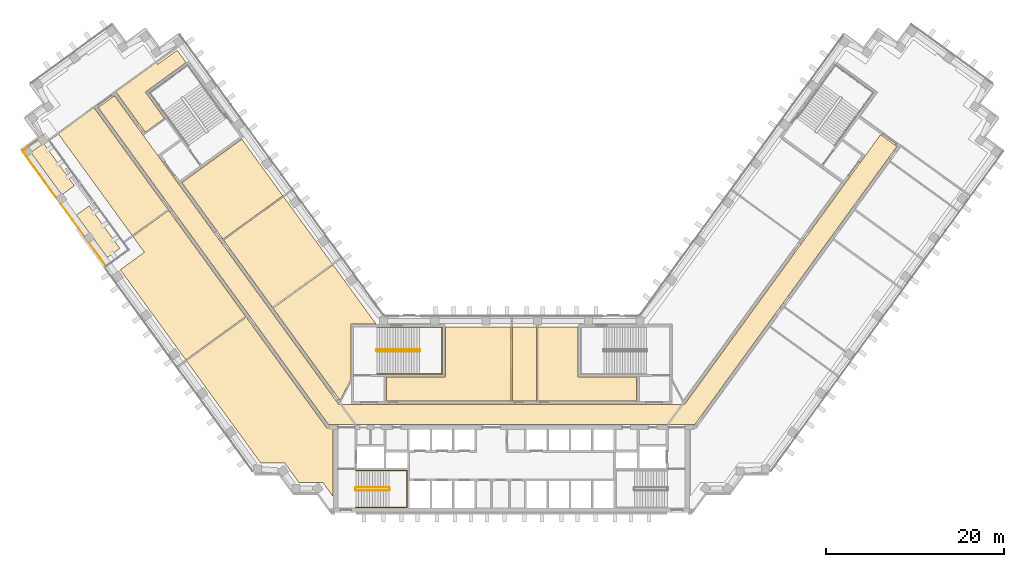
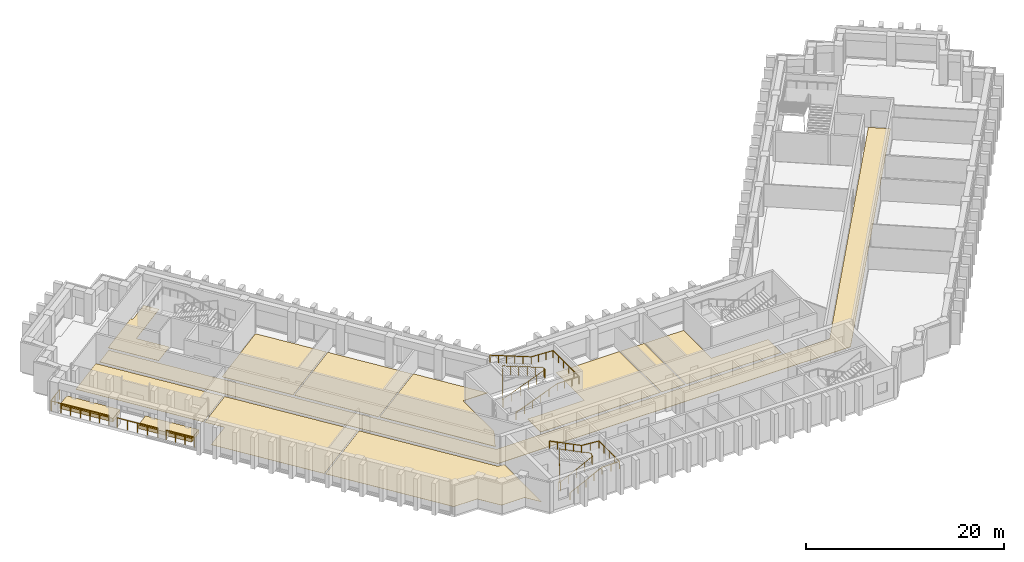
# One storey, part 15 of 17: 13 coverings, 8 railings.
"""IFC4 building model written with IfcOpenShell, lengths in metres."""

from ifc_helpers import new_model, si_unit, direction, frame, origin, origin_2d, place, context, subcontext, project, spatial, polyline, circle, outline, extrude, material, layer, layer_set, type_object, element, save


model = new_model("IFC4")

# Units and contexts
model_context = context("Model", 3, precision=1e-05, world=origin(), true_north=direction((0.0, 1.0)))
body_context = subcontext(model_context, "Body", "Model", "MODEL_VIEW")
ifc_project = project(units=[si_unit("LENGTHUNIT", "METRE"), si_unit("AREAUNIT", "SQUARE_METRE"), si_unit("VOLUMEUNIT", "CUBIC_METRE"), si_unit("PLANEANGLEUNIT", "RADIAN"), si_unit("MASSUNIT", "GRAM", prefix="KILO")], contexts=[model_context])

# Site, building, storey
site_placement = place(None, origin())
site = spatial("IfcSite", under=ifc_project, at=site_placement, CompositionType="ELEMENT")
building_placement = place(site_placement, origin())
building = spatial("IfcBuilding", under=site, at=building_placement, Name="Quipu Civic Tower", CompositionType="ELEMENT")
storey_placement = place(building_placement, frame((0.0, 0.0, 39.0)))
storey = spatial("IfcBuildingStorey", under=building, at=storey_placement, Name="L08", CompositionType="ELEMENT", Elevation=39.0)

# Coverings
ifc_material_1 = material(Name="Carpet tile on raised access floor")
ifc_layer_1 = layer(ifc_material_1, 0.02001953125)
ifc_layer_set_1 = layer_set([ifc_layer_1], Name="Carpet tile on raised access floor")
covering_type_1 = type_object("IfcCoveringType", Name="Carpet tile floor finish 20", PredefinedType="FLOORING", material=ifc_layer_set_1)
covering_1_placement = place(storey_placement, origin())
element("IfcCovering", 1, at=covering_1_placement, inside=storey, type_object=covering_type_1, Name="Carpet tile floor finish 20", PredefinedType="FLOORING", context=body_context, shape_type="SweptSolid", body=[
    extrude(outline(polyline([(-44.445068359375, 36.23193359375), (-39.906005859375, 39.530029296875), (-39.757080078125, 39.327880859375), (-37.573974609375, 40.9130859375), (-36.570068359375, 39.530029296875), (-41.139892578125, 36.208984375), (-38.998046875, 33.260009765625), (-41.15087890625, 31.697021484375), (-44.445068359375, 36.23193359375)])), origin(), (0.0, 0.0, 1.0), 0.02001953125),
])
covering_2_placement = place(storey_placement, origin())
element("IfcCovering", 2, at=covering_2_placement, inside=storey, type_object=covering_type_1, Name="Carpet tile floor finish 20", PredefinedType="FLOORING", context=body_context, shape_type="SweptSolid", body=[
    extrude(outline(polyline([(-32.339111328125, 19.570068359375), (-25.615966796875, 24.4541015625), (-20.14404296875, 16.9208984375), (-26.866943359375, 12.0380859375), (-32.339111328125, 19.570068359375)])), origin(), (0.0, 0.0, 1.0), 0.02001953125),
])
covering_3_placement = place(storey_placement, origin())
element("IfcCovering", 3, at=covering_3_placement, inside=storey, type_object=covering_type_1, Name="Carpet tile floor finish 20", PredefinedType="FLOORING", context=body_context, shape_type="SweptSolid", body=[
    extrude(outline(polyline([(-50.922119140625, 31.52490234375), (-46.904052734375, 34.444091796875), (-38.60791015625, 23.02490234375), (-42.626953125, 20.10595703125), (-50.922119140625, 31.52490234375)])), origin(), (0.0, 0.0, 1.0), 0.02001953125),
])
covering_4_placement = place(storey_placement, origin())
element("IfcCovering", 4, at=covering_4_placement, inside=storey, type_object=covering_type_1, Name="Carpet tile floor finish 20", PredefinedType="FLOORING", context=body_context, shape_type="SweptSolid", body=[
    extrude(outline(polyline([(-36.52001953125, 6.013916015625), (-29.7958984375, 10.89794921875), (-20.77490234375, -1.51904296875), (-20.070068359375, -1.52001953125), (-20.070068359375, -9.195068359375), (-21.196044921875, -7.64599609375), (-21.6630859375, -7.64599609375), (-21.666015625, -7.64404296875), (-21.669921875, -7.64111328125), (-21.675048828125, -7.639892578125), (-21.679931640625, -7.637939453125), (-21.68408203125, -7.636962890625), (-21.68896484375, -7.636962890625), (-21.694091796875, -7.635986328125), (-21.698974609375, -7.636962890625), (-21.7041015625, -7.637939453125), (-21.708984375, -7.638916015625), (-21.712890625, -7.64111328125), (-21.718017578125, -7.64306640625), (-21.721923828125, -7.64599609375), (-21.721923828125, -7.64599609375), (-23.89501953125, -7.64599609375), (-25.48193359375, -5.4619140625), (-28.181884765625, -5.4609375), (-36.52001953125, 6.013916015625)])), origin(), (0.0, 0.0, 1.0), 0.02001953125),
])
covering_5_placement = place(storey_placement, origin())
element("IfcCovering", 5, at=covering_5_placement, inside=storey, type_object=covering_type_1, Name="Carpet tile floor finish 20", PredefinedType="FLOORING", context=body_context, shape_type="SweptSolid", body=[
    extrude(outline(polyline([(2.948974609375, 1.52001953125), (2.948974609375, 9.830078125), (7.429931640625, 9.830078125), (7.430908203125, 4.179931640625), (14.030029296875, 4.179931640625), (14.030029296875, 1.52001953125), (2.948974609375, 1.52001953125)])), origin(), (0.0, 0.0, 1.0), 0.02001953125),
])
covering_6_placement = place(storey_placement, origin())
element("IfcCovering", 6, at=covering_6_placement, inside=storey, type_object=covering_type_1, Name="Carpet tile floor finish 20", PredefinedType="FLOORING", context=body_context, shape_type="SweptSolid", body=[
    extrude(outline(polyline([(-43.9580078125, 16.251953125), (-41.25390625, 18.217041015625), (-42.5439453125, 19.992919921875), (-38.52490234375, 22.912109375), (-29.87890625, 11.010986328125), (-36.60302734375, 6.126953125), (-43.9580078125, 16.251953125)])), origin(), (0.0, 0.0, 1.0), 0.02001953125),
])
ifc_material_2 = material(Name="Ceramic floor tile")
ifc_layer_2 = layer(ifc_material_2, 0.030029296875)
ifc_layer_set_2 = layer_set([ifc_layer_2], Name="Ceramic floor tile")
covering_type_2 = type_object("IfcCoveringType", Name="Ceramic tile floor finish 30", PredefinedType="FLOORING", material=ifc_layer_set_2)
covering_7_placement = place(storey_placement, origin())
element("IfcCovering", 7, at=covering_7_placement, inside=storey, type_object=covering_type_2, Name="Ceramic tile floor finish 30", PredefinedType="FLOORING", context=body_context, shape_type="SweptSolid", body=[
    extrude(outline(polyline([(0.070068359375, 9.830078125), (2.80908203125, 9.830078125), (2.80908203125, 1.52001953125), (0.070068359375, 1.52001953125), (0.070068359375, 9.830078125)])), origin(), (0.0, 0.0, 1.0), 0.030029296875),
])
covering_8_placement = place(storey_placement, origin())
element("IfcCovering", 8, at=covering_8_placement, inside=storey, type_object=covering_type_2, Name="Ceramic tile floor finish 30", PredefinedType="FLOORING", context=body_context, shape_type="SweptSolid", body=[
    extrude(outline(polyline([(-14.030029296875, 4.179931640625), (-7.430908203125, 4.179931640625), (-7.429931640625, 9.830078125), (-0.070068359375, 9.830078125), (-0.070068359375, 1.52001953125), (-14.030029296875, 1.52001953125), (-14.030029296875, 4.179931640625)])), origin(), (0.0, 0.0, 1.0), 0.030029296875),
])
covering_9_placement = place(storey_placement, origin())
element("IfcCovering", 9, at=covering_9_placement, inside=storey, type_object=covering_type_2, Name="Ceramic tile floor finish 30", PredefinedType="FLOORING", context=body_context, shape_type="SweptSolid", body=[
    extrude(outline(polyline([(-37.0380859375, 26.0380859375), (-30.31494140625, 30.922119140625), (-25.698974609375, 24.56689453125), (-32.422119140625, 19.68310546875), (-37.0380859375, 26.0380859375)])), origin(), (0.0, 0.0, 1.0), 0.030029296875),
])
ifc_material_3 = material(Name="Planting soil on drainage board")
ifc_layer_3 = layer(ifc_material_3, 0.449951171875)
ifc_layer_set_3 = layer_set([ifc_layer_3], Name="Planting soil on drainage board")
covering_type_3 = type_object("IfcCoveringType", Name="Planted terrace build-up", PredefinedType="FLOORING", material=ifc_layer_set_3)
covering_10_placement = place(storey_placement, origin())
element("IfcCovering", 10, at=covering_10_placement, inside=storey, type_object=covering_type_3, Name="Planted terrace L08 bed 1", PredefinedType="FLOORING", context=body_context, shape_type="SweptSolid", body=[
    extrude(outline(polyline([(-53.9970703125, 29.439453125), (-52.5869140625, 30.464111328125), (-49.118896484375, 25.6904296875), (-50.52880859375, 24.666015625), (-53.9970703125, 29.439453125)])), origin(), (0.0, 0.0, 1.0), 0.449951171875),
])
covering_11_placement = place(storey_placement, origin())
element("IfcCovering", 11, at=covering_11_placement, inside=storey, type_object=covering_type_3, Name="Planted terrace L08 bed 2", PredefinedType="FLOORING", context=body_context, shape_type="SweptSolid", body=[
    extrude(outline(polyline([(-48.883056640625, 22.40087890625), (-47.47314453125, 23.42529296875), (-44.00537109375, 18.65234375), (-45.415283203125, 17.6279296875), (-48.883056640625, 22.40087890625)])), origin(), (0.0, 0.0, 1.0), 0.449951171875),
])
ifc_material_4 = material(Name="Sealed cement screed")
ifc_layer_4 = layer(ifc_material_4, 0.050048828125)
ifc_layer_set_4 = layer_set([ifc_layer_4], Name="Sealed cement screed")
covering_type_4 = type_object("IfcCoveringType", Name="Sealed screed floor finish 50", PredefinedType="FLOORING", material=ifc_layer_set_4)
covering_12_placement = place(storey_placement, origin())
element("IfcCovering", 12, at=covering_12_placement, inside=storey, type_object=covering_type_4, Name="Sealed screed floor finish 50", PredefinedType="FLOORING", context=body_context, shape_type="SweptSolid", body=[
    extrude(outline(polyline([(-26.783935546875, 11.925048828125), (-20.06103515625, 16.80810546875), (-15.238037109375, 10.169921875), (-18.070068359375, 10.1689453125), (-18.070068359375, 3.94189453125), (-19.27197265625, 1.583984375), (-26.783935546875, 11.925048828125)])), origin(), (0.0, 0.0, 1.0), 0.050048828125),
])

# Railings
ifc_material_5 = material(Name="Stainless steel", Category="steel")
railing_type_1 = type_object("IfcRailingType", Name="Stair guard 1100", PredefinedType="GUARDRAIL", material=ifc_material_5)
railing_1_placement = place(storey_placement, frame((-17.5, -8.550048828125, 0.15380859375)))
element("IfcRailing", 13, at=railing_1_placement, inside=storey, type_object=railing_type_1, Name="Stair 1 guard", PredefinedType="GUARDRAIL", context=body_context, shape_type="SweptSolid", body=[
    extrude(circle(Radius=0.02392578125, at=origin_2d()), frame((0.0, 0.0, 1.076171875), z_axis=(0.895751851347, 0.0, 0.444554407028), x_axis=(0.0, 1.0, 0.0)), (0.0, 0.0, 1.0), 4.15283203125),
    extrude(circle(Radius=0.02392578125, at=origin_2d()), frame((3.719970703125, 0.0, 2.92236328125), z_axis=(0.707106781187, 0.707106781187, 0.0), x_axis=(-0.707106781187, 0.707106781187, 0.0)), (0.0, 0.0, 1.0), 0.07080078125),
    extrude(circle(Radius=0.02392578125, at=origin_2d()), frame((3.77001953125, 0.050048828125, 2.92236328125), z_axis=(0.0, 1.0, 0.0), x_axis=(-1.0, 0.0, 0.0)), (0.0, 0.0, 1.0), 0.25),
    extrude(circle(Radius=0.02392578125, at=origin_2d()), frame((3.77001953125, 0.300048828125, 2.92236328125), z_axis=(-0.295599637079, 0.295599637079, 0.908428152975), x_axis=(-0.707106781187, -0.707106781187, 0.0)), (0.0, 0.0, 1.0), 0.16943359375),
    extrude(circle(Radius=0.02392578125, at=origin_2d()), frame((3.719970703125, 0.35009765625, 3.076171875), z_axis=(-0.895751851347, 0.0, 0.444554407028), x_axis=(0.0, -1.0, 0.0)), (0.0, 0.0, 1.0), 4.15283203125),
    extrude(circle(Radius=0.02392578125, at=origin_2d()), frame((0.0, 0.35009765625, 4.92236328125), z_axis=(-0.012476181752, -0.074796231092, -0.997120789425), x_axis=(0.986372223864, -0.164529134168, 0.0)), (0.0, 0.0, 1.0), 4.011474609375),
    extrude(circle(Radius=0.02392578125, at=origin_2d()), frame((-0.050048828125, 0.050048828125, 0.92236328125), z_axis=(0.0, 1.0, 0.0), x_axis=(-1.0, 0.0, 0.0)), (0.0, 0.0, 1.0), 0.25),
    extrude(circle(Radius=0.02099609375, at=origin_2d()), origin(), (0.0, 0.0, 1.0), 1.052001953125),
    extrude(circle(Radius=0.02099609375, at=origin_2d()), frame((0.929931640625, 0.0, 0.46142578125)), (0.0, 0.0, 1.0), 1.052001953125),
    extrude(circle(Radius=0.02099609375, at=origin_2d()), frame((1.85986328125, 0.0, 0.923095703125)), (0.0, 0.0, 1.0), 1.052001953125),
    extrude(circle(Radius=0.02099609375, at=origin_2d()), frame((2.7900390625, 0.0, 1.384765625)), (0.0, 0.0, 1.0), 1.052001953125),
    extrude(circle(Radius=0.02099609375, at=origin_2d()), frame((3.719970703125, 0.0, 1.84619140625)), (0.0, 0.0, 1.0), 1.052001953125),
    extrude(circle(Radius=0.02099609375, at=origin_2d()), frame((3.77001953125, 0.050048828125, 1.84619140625)), (0.0, 0.0, 1.0), 1.052001953125),
    extrude(circle(Radius=0.02099609375, at=origin_2d()), frame((3.77001953125, 0.300048828125, 1.84619140625)), (0.0, 0.0, 1.0), 1.052001953125),
    extrude(circle(Radius=0.02099609375, at=origin_2d()), frame((3.719970703125, 0.35009765625, 2.0)), (0.0, 0.0, 1.0), 1.052001953125),
    extrude(circle(Radius=0.02099609375, at=origin_2d()), frame((2.7900390625, 0.35009765625, 2.46142578125)), (0.0, 0.0, 1.0), 1.052001953125),
    extrude(circle(Radius=0.02099609375, at=origin_2d()), frame((1.85986328125, 0.35009765625, 2.923095703125)), (0.0, 0.0, 1.0), 1.052001953125),
    extrude(circle(Radius=0.02099609375, at=origin_2d()), frame((0.929931640625, 0.35009765625, 3.384765625)), (0.0, 0.0, 1.0), 1.052001953125),
    extrude(circle(Radius=0.02099609375, at=origin_2d()), frame((0.0, 0.35009765625, 3.84619140625)), (0.0, 0.0, 1.0), 1.052001953125),
    extrude(circle(Radius=0.02099609375, at=origin_2d()), frame((-0.012451171875, 0.275146484375, 2.84619140625)), (0.0, 0.0, 1.0), 1.052001953125),
    extrude(circle(Radius=0.02099609375, at=origin_2d()), frame((-0.02490234375, 0.2001953125, 1.84619140625)), (0.0, 0.0, 1.0), 1.052001953125),
    extrude(circle(Radius=0.02099609375, at=origin_2d()), frame((-0.03759765625, 0.125, 0.84619140625)), (0.0, 0.0, 1.0), 1.052001953125),
    extrude(circle(Radius=0.02099609375, at=origin_2d()), frame((-0.050048828125, 0.050048828125, -0.15380859375)), (0.0, 0.0, 1.0), 1.052001953125),
    extrude(circle(Radius=0.02099609375, at=origin_2d()), frame((-0.050048828125, 0.300048828125, -0.15380859375)), (0.0, 0.0, 1.0), 1.052001953125),
])
railing_2_placement = place(storey_placement, frame((-15.14990234375, 7.050048828125, 0.11767578125)))
element("IfcRailing", 14, at=railing_2_placement, inside=storey, type_object=railing_type_1, Name="Stair 3 guard", PredefinedType="GUARDRAIL", context=body_context, shape_type="SweptSolid", body=[
    extrude(circle(Radius=0.02392578125, at=origin_2d()), frame((0.0, 0.0, 1.076171875), z_axis=(0.930970042603, 0.0, 0.365095576219), x_axis=(0.0, 1.0, 0.0)), (0.0, 0.0, 1.0), 5.15576171875),
    extrude(circle(Radius=0.02392578125, at=origin_2d()), frame((4.7998046875, 0.0, 2.95849609375), z_axis=(0.707106781187, 0.707106781187, 0.0), x_axis=(-0.707106781187, 0.707106781187, 0.0)), (0.0, 0.0, 1.0), 0.07080078125),
    extrude(circle(Radius=0.02392578125, at=origin_2d()), frame((4.849853515625, 0.050048828125, 2.95849609375), z_axis=(0.0, 1.0, 0.0), x_axis=(-1.0, 0.0, 0.0)), (0.0, 0.0, 1.0), 0.14990234375),
    extrude(circle(Radius=0.02392578125, at=origin_2d()), frame((4.849853515625, 0.199951171875, 2.95849609375), z_axis=(-0.364463019033, 0.364463019033, 0.856932561824), x_axis=(-0.707106781187, -0.707106781187, 0.0)), (0.0, 0.0, 1.0), 0.13720703125),
    extrude(circle(Radius=0.02392578125, at=origin_2d()), frame((4.7998046875, 0.25, 3.076171875), z_axis=(-0.930970042603, 0.0, 0.365095576219), x_axis=(0.0, -1.0, 0.0)), (0.0, 0.0, 1.0), 5.15576171875),
    extrude(circle(Radius=0.02392578125, at=origin_2d()), frame((0.0, 0.25, 4.95849609375), z_axis=(-0.012495627992, -0.049921557685, -0.998674970829), x_axis=(0.970072785993, -0.242814311512, 0.0)), (0.0, 0.0, 1.0), 4.00537109375),
    extrude(circle(Radius=0.02392578125, at=origin_2d()), frame((-0.050048828125, 0.050048828125, 0.95849609375), z_axis=(0.0, 1.0, 0.0), x_axis=(-1.0, 0.0, 0.0)), (0.0, 0.0, 1.0), 0.14990234375),
    extrude(circle(Radius=0.02099609375, at=origin_2d()), origin(), (0.0, 0.0, 1.0), 1.052001953125),
    extrude(circle(Radius=0.02099609375, at=origin_2d()), frame((0.9599609375, 0.0, 0.37646484375)), (0.0, 0.0, 1.0), 1.052001953125),
    extrude(circle(Radius=0.02099609375, at=origin_2d()), frame((1.919921875, 0.0, 0.7529296875)), (0.0, 0.0, 1.0), 1.052001953125),
    extrude(circle(Radius=0.02099609375, at=origin_2d()), frame((2.8798828125, 0.0, 1.12939453125)), (0.0, 0.0, 1.0), 1.052001953125),
    extrude(circle(Radius=0.02099609375, at=origin_2d()), frame((3.83984375, 0.0, 1.505859375)), (0.0, 0.0, 1.0), 1.052001953125),
    extrude(circle(Radius=0.02099609375, at=origin_2d()), frame((4.7998046875, 0.0, 1.88232421875)), (0.0, 0.0, 1.0), 1.052001953125),
    extrude(circle(Radius=0.02099609375, at=origin_2d()), frame((4.849853515625, 0.050048828125, 1.88232421875)), (0.0, 0.0, 1.0), 1.052001953125),
    extrude(circle(Radius=0.02099609375, at=origin_2d()), frame((4.849853515625, 0.199951171875, 1.88232421875)), (0.0, 0.0, 1.0), 1.052001953125),
    extrude(circle(Radius=0.02099609375, at=origin_2d()), frame((4.7998046875, 0.25, 2.0)), (0.0, 0.0, 1.0), 1.052001953125),
    extrude(circle(Radius=0.02099609375, at=origin_2d()), frame((3.83984375, 0.25, 2.37646484375)), (0.0, 0.0, 1.0), 1.052001953125),
    extrude(circle(Radius=0.02099609375, at=origin_2d()), frame((2.8798828125, 0.25, 2.7529296875)), (0.0, 0.0, 1.0), 1.052001953125),
    extrude(circle(Radius=0.02099609375, at=origin_2d()), frame((1.919921875, 0.25, 3.12939453125)), (0.0, 0.0, 1.0), 1.052001953125),
    extrude(circle(Radius=0.02099609375, at=origin_2d()), frame((0.9599609375, 0.25, 3.505859375)), (0.0, 0.0, 1.0), 1.052001953125),
    extrude(circle(Radius=0.02099609375, at=origin_2d()), frame((0.0, 0.25, 3.88232421875)), (0.0, 0.0, 1.0), 1.052001953125),
    extrude(circle(Radius=0.02099609375, at=origin_2d()), frame((-0.012451171875, 0.199951171875, 2.88232421875)), (0.0, 0.0, 1.0), 1.052001953125),
    extrude(circle(Radius=0.02099609375, at=origin_2d()), frame((-0.02490234375, 0.14990234375, 1.88232421875)), (0.0, 0.0, 1.0), 1.052001953125),
    extrude(circle(Radius=0.02099609375, at=origin_2d()), frame((-0.03759765625, 0.10009765625, 0.88232421875)), (0.0, 0.0, 1.0), 1.052001953125),
    extrude(circle(Radius=0.02099609375, at=origin_2d()), frame((-0.050048828125, 0.050048828125, -0.11767578125)), (0.0, 0.0, 1.0), 1.052001953125),
    extrude(circle(Radius=0.02099609375, at=origin_2d()), frame((-0.050048828125, 0.199951171875, -0.11767578125)), (0.0, 0.0, 1.0), 1.052001953125),
])
ifc_material_6 = material(Name="Stainless steel", Category="steel")
railing_type_2 = type_object("IfcRailingType", Name="Stair handrail", PredefinedType="HANDRAIL", material=ifc_material_6)
railing_3_placement = place(storey_placement, frame((-17.5, -10.449951171875, 0.15380859375)))
element("IfcRailing", 15, at=railing_3_placement, inside=storey, type_object=railing_type_2, Name="Stair 1 handrail", PredefinedType="HANDRAIL", context=body_context, shape_type="SweptSolid", body=[
    extrude(circle(Radius=0.02392578125, at=origin_2d()), frame((0.0, 0.0, 0.8759765625), z_axis=(0.895751851347, 0.0, 0.444554407028), x_axis=(0.0, 1.0, 0.0)), (0.0, 0.0, 1.0), 4.15283203125),
    extrude(circle(Radius=0.02392578125, at=origin_2d()), frame((3.719970703125, 0.0, 2.72216796875), z_axis=(1.0, 0.0, 0.0), x_axis=(0.0, 1.0, 0.0)), (0.0, 0.0, 1.0), 2.030029296875),
    extrude(circle(Radius=0.02392578125, at=origin_2d()), frame((5.75, 0.0, 2.72216796875), z_axis=(0.0, 1.0, 0.0), x_axis=(-1.0, 0.0, 0.0)), (0.0, 0.0, 1.0), 4.14990234375),
    extrude(circle(Radius=0.02392578125, at=origin_2d()), frame((5.75, 4.14990234375, 2.72216796875), z_axis=(-0.997142003663, 0.0, 0.075550145798), x_axis=(0.0, -1.0, 0.0)), (0.0, 0.0, 1.0), 2.035888671875),
    extrude(circle(Radius=0.02392578125, at=origin_2d()), frame((3.719970703125, 4.14990234375, 2.8759765625), z_axis=(-0.895751851347, 0.0, 0.444554407028), x_axis=(0.0, -1.0, 0.0)), (0.0, 0.0, 1.0), 4.15283203125),
    extrude(circle(Radius=0.02099609375, at=origin_2d()), origin(), (0.0, 0.0, 1.0), 0.851806640625),
    extrude(circle(Radius=0.02099609375, at=origin_2d()), frame((0.929931640625, 0.0, 0.46142578125)), (0.0, 0.0, 1.0), 0.851806640625),
    extrude(circle(Radius=0.02099609375, at=origin_2d()), frame((1.85986328125, 0.0, 0.923095703125)), (0.0, 0.0, 1.0), 0.851806640625),
    extrude(circle(Radius=0.02099609375, at=origin_2d()), frame((2.7900390625, 0.0, 1.384765625)), (0.0, 0.0, 1.0), 0.851806640625),
    extrude(circle(Radius=0.02099609375, at=origin_2d()), frame((3.719970703125, 0.0, 1.84619140625)), (0.0, 0.0, 1.0), 0.851806640625),
    extrude(circle(Radius=0.02099609375, at=origin_2d()), frame((4.73486328125, 0.0, 1.84619140625)), (0.0, 0.0, 1.0), 0.851806640625),
    extrude(circle(Radius=0.02099609375, at=origin_2d()), frame((5.75, 0.0, 1.84619140625)), (0.0, 0.0, 1.0), 0.851806640625),
    extrude(circle(Radius=0.02099609375, at=origin_2d()), frame((5.75, 1.03759765625, 1.84619140625)), (0.0, 0.0, 1.0), 0.851806640625),
    extrude(circle(Radius=0.02099609375, at=origin_2d()), frame((5.75, 2.074951171875, 1.84619140625)), (0.0, 0.0, 1.0), 0.851806640625),
    extrude(circle(Radius=0.02099609375, at=origin_2d()), frame((5.75, 3.1123046875, 1.84619140625)), (0.0, 0.0, 1.0), 0.851806640625),
    extrude(circle(Radius=0.02099609375, at=origin_2d()), frame((5.75, 4.14990234375, 1.84619140625)), (0.0, 0.0, 1.0), 0.851806640625),
    extrude(circle(Radius=0.02099609375, at=origin_2d()), frame((4.73486328125, 4.14990234375, 1.923095703125)), (0.0, 0.0, 1.0), 0.851806640625),
    extrude(circle(Radius=0.02099609375, at=origin_2d()), frame((3.719970703125, 4.14990234375, 2.0)), (0.0, 0.0, 1.0), 0.851806640625),
    extrude(circle(Radius=0.02099609375, at=origin_2d()), frame((2.7900390625, 4.14990234375, 2.46142578125)), (0.0, 0.0, 1.0), 0.851806640625),
    extrude(circle(Radius=0.02099609375, at=origin_2d()), frame((1.85986328125, 4.14990234375, 2.923095703125)), (0.0, 0.0, 1.0), 0.851806640625),
    extrude(circle(Radius=0.02099609375, at=origin_2d()), frame((0.929931640625, 4.14990234375, 3.384765625)), (0.0, 0.0, 1.0), 0.851806640625),
    extrude(circle(Radius=0.02099609375, at=origin_2d()), frame((0.0, 4.14990234375, 3.84619140625)), (0.0, 0.0, 1.0), 0.851806640625),
])
railing_4_placement = place(storey_placement, frame((-15.14990234375, 4.550048828125, 0.11767578125)))
element("IfcRailing", 16, at=railing_4_placement, inside=storey, type_object=railing_type_2, Name="Stair 3 handrail", PredefinedType="HANDRAIL", context=body_context, shape_type="SweptSolid", body=[
    extrude(circle(Radius=0.02392578125, at=origin_2d()), frame((0.0, 0.0, 0.8759765625), z_axis=(0.930970042603, 0.0, 0.365095576219), x_axis=(0.0, 1.0, 0.0)), (0.0, 0.0, 1.0), 5.15576171875),
    extrude(circle(Radius=0.02392578125, at=origin_2d()), frame((4.7998046875, 0.0, 2.75830078125), z_axis=(1.0, 0.0, 0.0), x_axis=(0.0, 1.0, 0.0)), (0.0, 0.0, 1.0), 2.550048828125),
    extrude(circle(Radius=0.02392578125, at=origin_2d()), frame((7.349853515625, 0.0, 2.75830078125), z_axis=(0.0, 1.0, 0.0), x_axis=(-1.0, 0.0, 0.0)), (0.0, 0.0, 1.0), 5.25),
    extrude(circle(Radius=0.02392578125, at=origin_2d()), frame((7.349853515625, 5.25, 2.75830078125), z_axis=(-0.998936948642, 0.0, 0.04609742549), x_axis=(0.0, -1.0, 0.0)), (0.0, 0.0, 1.0), 2.552734375),
    extrude(circle(Radius=0.02392578125, at=origin_2d()), frame((4.7998046875, 5.25, 2.8759765625), z_axis=(-0.930970042603, 0.0, 0.365095576219), x_axis=(0.0, -1.0, 0.0)), (0.0, 0.0, 1.0), 5.15576171875),
    extrude(circle(Radius=0.02099609375, at=origin_2d()), origin(), (0.0, 0.0, 1.0), 0.851806640625),
    extrude(circle(Radius=0.02099609375, at=origin_2d()), frame((0.9599609375, 0.0, 0.37646484375)), (0.0, 0.0, 1.0), 0.851806640625),
    extrude(circle(Radius=0.02099609375, at=origin_2d()), frame((1.919921875, 0.0, 0.7529296875)), (0.0, 0.0, 1.0), 0.851806640625),
    extrude(circle(Radius=0.02099609375, at=origin_2d()), frame((2.8798828125, 0.0, 1.12939453125)), (0.0, 0.0, 1.0), 0.851806640625),
    extrude(circle(Radius=0.02099609375, at=origin_2d()), frame((3.83984375, 0.0, 1.505859375)), (0.0, 0.0, 1.0), 0.851806640625),
    extrude(circle(Radius=0.02099609375, at=origin_2d()), frame((4.7998046875, 0.0, 1.88232421875)), (0.0, 0.0, 1.0), 0.851806640625),
    extrude(circle(Radius=0.02099609375, at=origin_2d()), frame((5.64990234375, 0.0, 1.88232421875)), (0.0, 0.0, 1.0), 0.851806640625),
    extrude(circle(Radius=0.02099609375, at=origin_2d()), frame((6.499755859375, 0.0, 1.88232421875)), (0.0, 0.0, 1.0), 0.851806640625),
    extrude(circle(Radius=0.02099609375, at=origin_2d()), frame((7.349853515625, 0.0, 1.88232421875)), (0.0, 0.0, 1.0), 0.851806640625),
    extrude(circle(Radius=0.02099609375, at=origin_2d()), frame((7.349853515625, 1.050048828125, 1.88232421875)), (0.0, 0.0, 1.0), 0.851806640625),
    extrude(circle(Radius=0.02099609375, at=origin_2d()), frame((7.349853515625, 2.10009765625, 1.88232421875)), (0.0, 0.0, 1.0), 0.851806640625),
    extrude(circle(Radius=0.02099609375, at=origin_2d()), frame((7.349853515625, 3.14990234375, 1.88232421875)), (0.0, 0.0, 1.0), 0.851806640625),
    extrude(circle(Radius=0.02099609375, at=origin_2d()), frame((7.349853515625, 4.199951171875, 1.88232421875)), (0.0, 0.0, 1.0), 0.851806640625),
    extrude(circle(Radius=0.02099609375, at=origin_2d()), frame((7.349853515625, 5.25, 1.88232421875)), (0.0, 0.0, 1.0), 0.851806640625),
    extrude(circle(Radius=0.02099609375, at=origin_2d()), frame((6.499755859375, 5.25, 1.921630859375)), (0.0, 0.0, 1.0), 0.851806640625),
    extrude(circle(Radius=0.02099609375, at=origin_2d()), frame((5.64990234375, 5.25, 1.960693359375)), (0.0, 0.0, 1.0), 0.851806640625),
    extrude(circle(Radius=0.02099609375, at=origin_2d()), frame((4.7998046875, 5.25, 2.0)), (0.0, 0.0, 1.0), 0.851806640625),
    extrude(circle(Radius=0.02099609375, at=origin_2d()), frame((3.83984375, 5.25, 2.37646484375)), (0.0, 0.0, 1.0), 0.851806640625),
    extrude(circle(Radius=0.02099609375, at=origin_2d()), frame((2.8798828125, 5.25, 2.7529296875)), (0.0, 0.0, 1.0), 0.851806640625),
    extrude(circle(Radius=0.02099609375, at=origin_2d()), frame((1.919921875, 5.25, 3.12939453125)), (0.0, 0.0, 1.0), 0.851806640625),
    extrude(circle(Radius=0.02099609375, at=origin_2d()), frame((0.9599609375, 5.25, 3.505859375)), (0.0, 0.0, 1.0), 0.851806640625),
    extrude(circle(Radius=0.02099609375, at=origin_2d()), frame((0.0, 5.25, 3.88232421875)), (0.0, 0.0, 1.0), 0.851806640625),
])
ifc_material_7 = material(Name="Steel S275", Category="steel")
railing_type_3 = type_object("IfcRailingType", Name="Terrace guard G1", PredefinedType="GUARDRAIL", material=ifc_material_7)
railing_5_placement = place(storey_placement, frame((-53.2236328125, 30.842041015625, 0.0)))
element("IfcRailing", 17, at=railing_5_placement, inside=storey, type_object=railing_type_3, Name="Terrace guard L08.1", PredefinedType="GUARDRAIL", context=body_context, shape_type="SweptSolid", body=[
    extrude(circle(Radius=0.02490234375, at=origin_2d()), frame((0.0, 0.0, 1.1748046875), z_axis=(-0.808983206573, -0.587831754401, 0.0), x_axis=(0.587831754401, -0.808983206573, 0.0)), (0.0, 0.0, 1.0), 2.050048828125),
    extrude(circle(Radius=0.02490234375, at=origin_2d()), origin(), (0.0, 0.0, 1.0), 1.14990234375),
    extrude(circle(Radius=0.02490234375, at=origin_2d()), frame((-0.8291015625, -0.6025390625, 0.0)), (0.0, 0.0, 1.0), 1.14990234375),
    extrude(circle(Radius=0.02490234375, at=origin_2d()), frame((-1.658447265625, -1.205078125, 0.0)), (0.0, 0.0, 1.0), 1.14990234375),
])
railing_6_placement = place(storey_placement, frame((-54.899658203125, 29.525146484375, 0.0)))
element("IfcRailing", 18, at=railing_6_placement, inside=storey, type_object=railing_type_3, Name="Terrace guard L08.2", PredefinedType="GUARDRAIL", context=body_context, shape_type="SweptSolid", body=[
    extrude(circle(Radius=0.02490234375, at=origin_2d()), frame((0.0, 0.0, 1.1748046875), z_axis=(0.587771860833, -0.80902672367, 0.0), x_axis=(0.80902672367, 0.587771860833, 0.0)), (0.0, 0.0, 1.0), 6.354736328125),
    extrude(circle(Radius=0.02490234375, at=origin_2d()), origin(), (0.0, 0.0, 1.0), 1.14990234375),
    extrude(circle(Radius=0.02490234375, at=origin_2d()), frame((0.62255859375, -0.85693359375, 0.0)), (0.0, 0.0, 1.0), 1.14990234375),
    extrude(circle(Radius=0.02490234375, at=origin_2d()), frame((1.2451171875, -1.713623046875, 0.0)), (0.0, 0.0, 1.0), 1.14990234375),
    extrude(circle(Radius=0.02490234375, at=origin_2d()), frame((1.86767578125, -2.570556640625, 0.0)), (0.0, 0.0, 1.0), 1.14990234375),
    extrude(circle(Radius=0.02490234375, at=origin_2d()), frame((2.489990234375, -3.427490234375, 0.0)), (0.0, 0.0, 1.0), 1.14990234375),
    extrude(circle(Radius=0.02490234375, at=origin_2d()), frame((3.112548828125, -4.2841796875, 0.0)), (0.0, 0.0, 1.0), 1.14990234375),
    extrude(circle(Radius=0.02490234375, at=origin_2d()), frame((3.735107421875, -5.14111328125, 0.0)), (0.0, 0.0, 1.0), 1.14990234375),
])
railing_7_placement = place(storey_placement, frame((-50.635498046875, 23.656005859375, 0.0)))
element("IfcRailing", 19, at=railing_7_placement, inside=storey, type_object=railing_type_3, Name="Terrace guard L08.3", PredefinedType="GUARDRAIL", context=body_context, shape_type="SweptSolid", body=[
    extrude(circle(Radius=0.02490234375, at=origin_2d()), frame((0.0, 0.0, 1.1748046875), z_axis=(0.587778073121, -0.809022210299, 0.0), x_axis=(0.809022210299, 0.587778073121, 0.0)), (0.0, 0.0, 1.0), 4.5),
    extrude(circle(Radius=0.02490234375, at=origin_2d()), origin(), (0.0, 0.0, 1.0), 1.14990234375),
    extrude(circle(Radius=0.02490234375, at=origin_2d()), frame((0.6611328125, -0.91015625, 0.0)), (0.0, 0.0, 1.0), 1.14990234375),
    extrude(circle(Radius=0.02490234375, at=origin_2d()), frame((1.322509765625, -1.8203125, 0.0)), (0.0, 0.0, 1.0), 1.14990234375),
    extrude(circle(Radius=0.02490234375, at=origin_2d()), frame((1.98388671875, -2.73046875, 0.0)), (0.0, 0.0, 1.0), 1.14990234375),
    extrude(circle(Radius=0.02490234375, at=origin_2d()), frame((2.64501953125, -3.640625, 0.0)), (0.0, 0.0, 1.0), 1.14990234375),
])
railing_8_placement = place(storey_placement, frame((-47.46142578125, 19.287353515625, 0.0)))
element("IfcRailing", 20, at=railing_8_placement, inside=storey, type_object=railing_type_3, Name="Terrace guard L08.4", PredefinedType="GUARDRAIL", context=body_context, shape_type="SweptSolid", body=[
    extrude(circle(Radius=0.02490234375, at=origin_2d()), frame((0.0, 0.0, 1.1748046875), z_axis=(0.587747008185, -0.809044778964, 0.0), x_axis=(0.809044778964, 0.587747008185, 0.0)), (0.0, 0.0, 1.0), 3.145263671875),
    extrude(circle(Radius=0.02490234375, at=origin_2d()), origin(), (0.0, 0.0, 1.0), 1.14990234375),
    extrude(circle(Radius=0.02490234375, at=origin_2d()), frame((0.6162109375, -0.84814453125, 0.0)), (0.0, 0.0, 1.0), 1.14990234375),
    extrude(circle(Radius=0.02490234375, at=origin_2d()), frame((1.232421875, -1.696533203125, 0.0)), (0.0, 0.0, 1.0), 1.14990234375),
    extrude(circle(Radius=0.02490234375, at=origin_2d()), frame((1.8486328125, -2.544677734375, 0.0)), (0.0, 0.0, 1.0), 1.14990234375),
])

# Covering
ifc_material_8 = material(Name="Terrazzo floor finish")
ifc_layer_5 = layer(ifc_material_8, 0.0400390625)
ifc_layer_set_5 = layer_set([ifc_layer_5], Name="Terrazzo floor finish")
covering_type_5 = type_object("IfcCoveringType", Name="Terrazzo floor finish 40", PredefinedType="FLOORING", material=ifc_layer_set_5)
covering_13_placement = place(storey_placement, origin())
element("IfcCovering", 21, at=covering_13_placement, inside=storey, type_object=covering_type_5, Name="Terrazzo floor finish 40", PredefinedType="FLOORING", context=body_context, shape_type="SweptSolid", body=[
    extrude(outline(polyline([(20.574951171875, -1.1298828125), (-20.574951171875, -1.1298828125), (-46.44091796875, 34.471923828125), (-44.613037109375, 35.800048828125), (-19.425048828125, 1.1298828125), (19.425048828125, 1.1298828125), (41.43896484375, 31.430908203125), (43.26708984375, 30.10302734375), (20.574951171875, -1.1298828125)])), origin(), (0.0, 0.0, 1.0), 0.0400390625),
])

save(model, "model.ifc")
